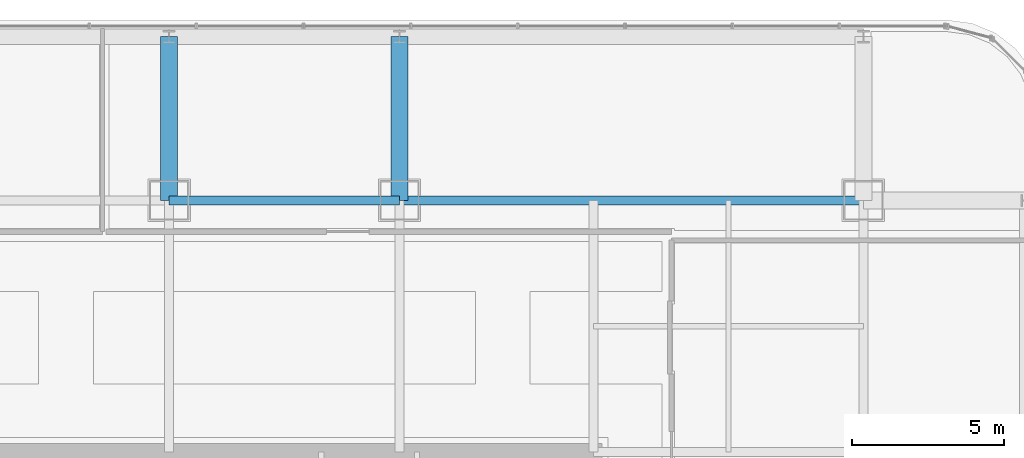
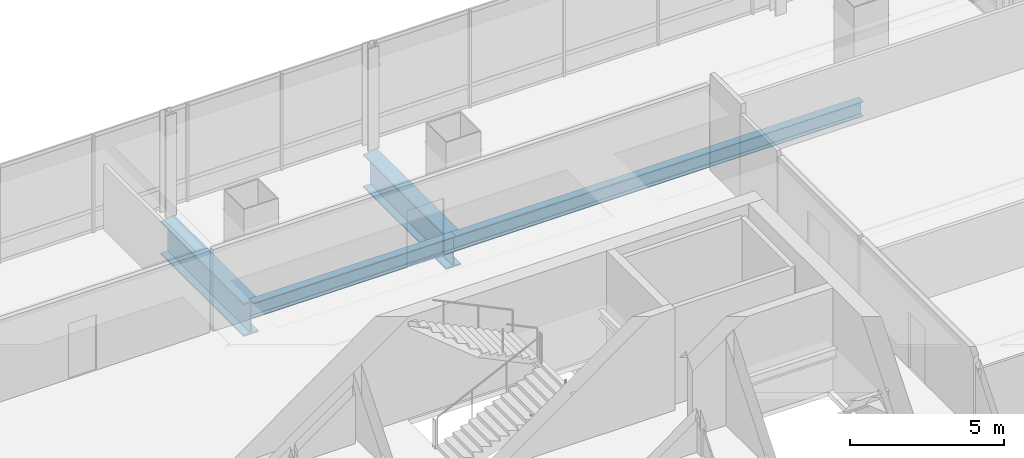
# One storey, part 26 of 42: 4 beams.
"""IFC4 building model written with IfcOpenShell, lengths in metres."""

from ifc_helpers import new_model, si_unit, direction, frame, origin, origin_2d, place, context, subcontext, project, spatial, i_section, extrude, material, material_profile, profile_set, type_object, element, save


model = new_model("IFC4")

# Units and contexts
model_context = context("Model", 3, precision=1e-05, world=origin(), true_north=direction((0.0, 1.0)))
body_context = subcontext(model_context, "Body", "Model", "MODEL_VIEW")
ifc_project = project(units=[si_unit("LENGTHUNIT", "METRE"), si_unit("AREAUNIT", "SQUARE_METRE"), si_unit("VOLUMEUNIT", "CUBIC_METRE"), si_unit("PLANEANGLEUNIT", "RADIAN"), si_unit("MASSUNIT", "GRAM", prefix="KILO")], contexts=[model_context])

# Site, building, storey
site_placement = place(None, origin())
site = spatial("IfcSite", under=ifc_project, at=site_placement, CompositionType="ELEMENT")
building_placement = place(site_placement, origin())
building = spatial("IfcBuilding", under=site, at=building_placement, Name="Punatoya Terracotta Tower", CompositionType="ELEMENT")
storey_placement = place(building_placement, frame((0.0, 0.0, 259.5)))
storey = spatial("IfcBuildingStorey", under=building, at=storey_placement, Name="L61", CompositionType="ELEMENT", Elevation=259.5)

# Beams
ifc_material_1 = material(Name="Steel S355", Category="steel")
ifc_material_profile_1 = material_profile(ifc_material_1, i_section(OverallWidth=0.300048828125, OverallDepth=0.60009765625, WebThickness=0.015380859375, FlangeThickness=0.030029296875, FilletRadius=0.01806640625, at=origin_2d()))
ifc_profile_set_1 = profile_set([ifc_material_profile_1], Name="Steel S355")
beam_type_1 = type_object("IfcBeamType", Name="BM-PRI-600", PredefinedType="BEAM", material=ifc_profile_set_1)
beam_1_placement = place(storey_placement, frame((-3.800048828125, 17.5, -0.5), z_axis=(1.0, 0.0, 0.0), x_axis=(0.0, 1.0, 0.0)))
element("IfcBeam", 1, at=beam_1_placement, inside=storey, type_object=beam_type_1, Name="BM-L61-RG-N2", PredefinedType="BEAM", context=body_context, shape_type="SweptSolid", body=[
    extrude(i_section(OverallWidth=0.300048828125, OverallDepth=0.60009765625, WebThickness=0.015380859375, FlangeThickness=0.030029296875, FilletRadius=0.01806640625, at=origin_2d()), origin(), (0.0, 0.0, 1.0), 7.60009765625),
])
beam_2_placement = place(storey_placement, frame((3.800048828125, 17.5, -0.5), z_axis=(1.0, 0.0, 0.0), x_axis=(0.0, 1.0, 0.0)))
element("IfcBeam", 2, at=beam_2_placement, inside=storey, type_object=beam_type_1, Name="BM-L61-RG-N3", PredefinedType="BEAM", context=body_context, shape_type="SweptSolid", body=[
    extrude(i_section(OverallWidth=0.300048828125, OverallDepth=0.60009765625, WebThickness=0.015380859375, FlangeThickness=0.030029296875, FilletRadius=0.01806640625, at=origin_2d()), origin(), (0.0, 0.0, 1.0), 15.300048828125),
])
ifc_material_2 = material(Name="Steel S460", Category="steel")
ifc_material_profile_2 = material_profile(ifc_material_2, i_section(OverallWidth=0.56005859375, OverallDepth=1.320068359375, WebThickness=0.035888671875, FlangeThickness=0.054931640625, FilletRadius=0.01806640625, at=origin_2d()))
ifc_profile_set_2 = profile_set([ifc_material_profile_2], Name="Steel S460")
beam_type_2 = type_object("IfcBeamType", Name="BM-TG-BLK", PredefinedType="BEAM", material=ifc_profile_set_2)
for number, where, z_axis, x_axis, name in (
    (3, (-3.800048828125, 17.5, -0.860107421875), (0.0, 1.0, 0.0), (-1.0, 0.0, 0.0), "BM-L61-CANT-N2"),
    (4, (3.800048828125, 17.5, -0.860107421875), (0.0, 1.0, 0.0), (-1.0, 0.0, 0.0), "BM-L61-CANT-N3"),
):
    element("IfcBeam", number, at=place(storey_placement, frame(where, z_axis=z_axis, x_axis=x_axis)), inside=storey, type_object=beam_type_2, Name=name, PredefinedType="BEAM", context=body_context, shape_type="SweptSolid", body=[
        extrude(i_section(OverallWidth=0.56005859375, OverallDepth=1.320068359375, WebThickness=0.035888671875, FlangeThickness=0.054931640625, FilletRadius=0.01806640625, at=origin_2d()), origin(), (0.0, 0.0, 1.0), 5.39990234375),
    ])

save(model, "model.ifc")
